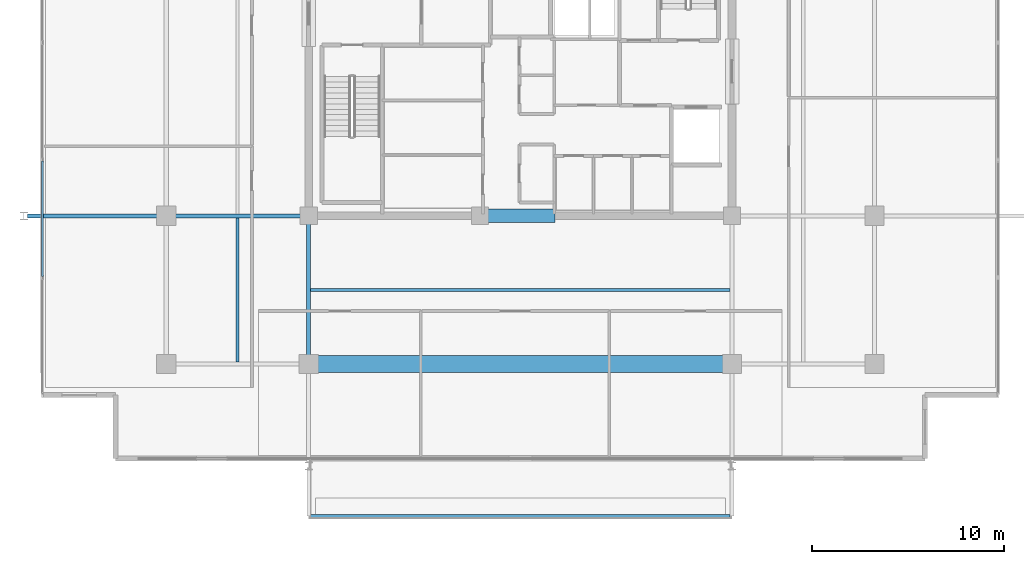
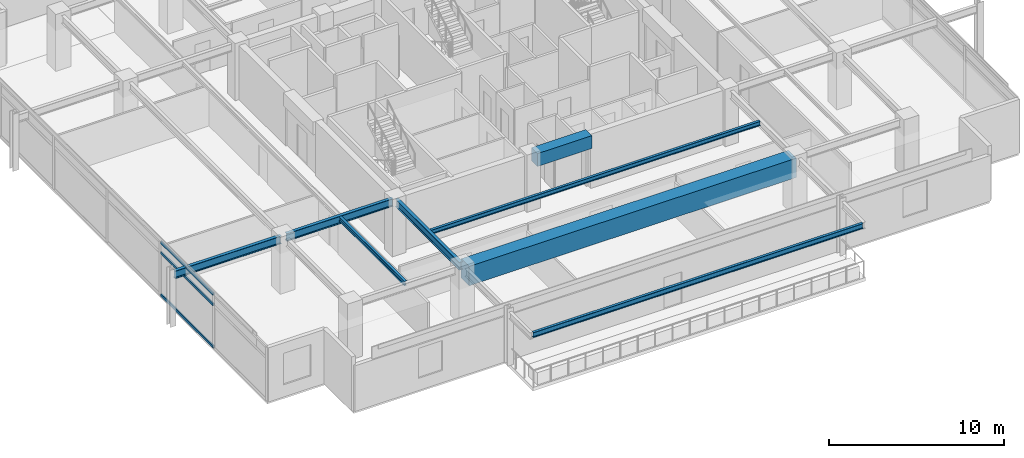
# One storey, part 3 of 20: 8 beams, 3 members, 1 element without a shape of its own.
"""IFC4 building model written with IfcOpenShell, lengths in metres."""

import ifcopenshell
import ifcopenshell.guid

model = None  # the IFC model being written
_history = None  # IfcOwnerHistory: only IFC2X3 demands one
_inside = {}  # id of a spatial element -> (the spatial element, [elements in it])
_under = {}  # id of a project, library or spatial element -> (it, [spatial elements below it])
_declared = {}  # id of a project -> (the project, [libraries it declares])
_typed = {}  # id of a type object -> (the type object, [elements of that type])
_made_of = {}  # id of a material, layer set ... -> (it, [elements and type objects made of it])


def new_model(schema):
    """Start an empty IFC model of exactly this schema.

    Asked for "IFC4X3", IfcOpenShell would pick the latest addendum, in which some entities
    have other attributes; the version numbers below select the first issue.
    IFC2X3 requires an IfcOwnerHistory on every rooted entity: one is made here for all.
    """
    global model, _history
    if schema == "IFC4X3":
        model = ifcopenshell.file(schema_version=(4, 3, 0, 0))
    else:
        model = ifcopenshell.file(schema=schema)
    _inside.clear()
    _under.clear()
    _declared.clear()
    _typed.clear()
    _made_of.clear()
    _history = None
    if model.schema == "IFC2X3":
        org = make("IfcOrganization", Name="unknown")
        user = make(
            "IfcPersonAndOrganization",
            ThePerson=make("IfcPerson", FamilyName="unknown"),
            TheOrganization=org,
        )
        app = make(
            "IfcApplication",
            ApplicationDeveloper=org,
            Version="unknown",
            ApplicationFullName="unknown",
            ApplicationIdentifier="unknown",
        )
        _history = make(
            "IfcOwnerHistory",
            OwningUser=user,
            OwningApplication=app,
            ChangeAction="ADDED",
            CreationDate=0,
        )
    return model


def make(cls, **values):
    """One entity of the class cls with the attributes given. An attribute that is None is left unset."""
    return model.create_entity(
        cls, **{name: value for name, value in values.items() if value is not None}
    )


def rooted(cls, **values):
    """An entity with a GlobalId (a new one), such as an element, a storey or a relation."""
    return make(cls, GlobalId=ifcopenshell.guid.new(), OwnerHistory=_history, **values)


def si_unit(unit_type, name, prefix=None):
    """IfcSIUnit, for example si_unit("LENGTHUNIT", "METRE", prefix="MILLI")."""
    return make("IfcSIUnit", UnitType=unit_type, Prefix=prefix, Name=name)


def assignment(units):
    """IfcUnitAssignment: the units of a project."""
    return None if units is None else make("IfcUnitAssignment", Units=units)


def point(xyz):
    """IfcCartesianPoint."""
    return None if xyz is None else make("IfcCartesianPoint", Coordinates=xyz)


def direction(xyz):
    """IfcDirection."""
    return None if xyz is None else make("IfcDirection", DirectionRatios=xyz)


def frame(location, z_axis=None, x_axis=None):
    """IfcAxis2Placement3D, a coordinate frame: its origin and axes. An axis left out is left unset."""
    return make(
        "IfcAxis2Placement3D",
        Location=point(location),
        Axis=direction(z_axis),
        RefDirection=direction(x_axis),
    )


def frame_2d(location, x_axis=None):
    """IfcAxis2Placement2D, a coordinate frame in the plane: its origin and x axis."""
    return make(
        "IfcAxis2Placement2D", Location=point(location), RefDirection=direction(x_axis)
    )


def origin():
    """The frame at (0, 0, 0) with its axes left unset."""
    return frame((0.0, 0.0, 0.0))


def origin_2d():
    """The frame at (0, 0) in the plane with its x axis left unset."""
    return frame_2d((0.0, 0.0))


def place(relative_to, where):
    """IfcLocalPlacement: puts the frame where relative to a parent placement (None: the world)."""
    return make(
        "IfcLocalPlacement", PlacementRelTo=relative_to, RelativePlacement=where
    )


def context(
    kind, dimensions, precision=None, world=None, true_north=None, identifier=None
):
    """IfcGeometricRepresentationContext, for example the 3D "Model" context."""
    return make(
        "IfcGeometricRepresentationContext",
        ContextIdentifier=identifier,
        ContextType=kind,
        CoordinateSpaceDimension=dimensions,
        Precision=precision,
        WorldCoordinateSystem=world,
        TrueNorth=true_north,
    )


def subcontext(parent, identifier, kind, view, scale=None):
    """IfcGeometricRepresentationSubContext, for example "Body" below "Model"."""
    return make(
        "IfcGeometricRepresentationSubContext",
        ContextIdentifier=identifier,
        ContextType=kind,
        ParentContext=parent,
        TargetScale=scale,
        TargetView=view,
    )


def project(units=None, contexts=None):
    """IfcProject with its units and contexts."""
    return rooted(
        "IfcProject",
        Name="project",
        RepresentationContexts=contexts,
        UnitsInContext=assignment(units),
    )


def spatial(cls, under=None, at=None, **own):
    """A site, building, storey or space (cls), placed at a placement, below another one or the project."""
    s = rooted(cls, ObjectPlacement=at, **own)
    if under is not None:
        _under.setdefault(under.id(), (under, []))[1].append(s)
    return s


def profile(cls, at=None, kind="AREA", **sizes):
    """A parametric profile (cls). Its sizes go by their IFC names, for example OverallWidth=200.0."""
    return make(cls, ProfileType=kind, Position=at, **sizes)


def rectangle(**sizes):
    """IfcRectangleProfileDef."""
    return profile("IfcRectangleProfileDef", **sizes)


def hollow_rectangle(**sizes):
    """IfcRectangleHollowProfileDef."""
    return profile("IfcRectangleHollowProfileDef", **sizes)


def i_section(**sizes):
    """IfcIShapeProfileDef."""
    return profile("IfcIShapeProfileDef", **sizes)


def extrude(swept, where, along, depth):
    """IfcExtrudedAreaSolid: the profile swept, set in the frame where, extruded along a direction by depth."""
    return make(
        "IfcExtrudedAreaSolid",
        SweptArea=swept,
        Position=where,
        ExtrudedDirection=direction(along),
        Depth=depth,
    )


def shape(context_of_items, identifier, shape_type, items):
    """IfcShapeRepresentation: the items that make up one representation, for example the "Body"."""
    return make(
        "IfcShapeRepresentation",
        ContextOfItems=context_of_items,
        RepresentationIdentifier=identifier,
        RepresentationType=shape_type,
        Items=items,
    )


def material(Name=None, Category=None):
    """IfcMaterial."""
    return make("IfcMaterial", Name=Name, Category=Category)


def material_profile(
    of_material, cross_section, Name=None, Category=None, Priority=None
):
    """IfcMaterialProfile: a cross section and its material."""
    return make(
        "IfcMaterialProfile",
        Name=Name,
        Material=of_material,
        Profile=cross_section,
        Priority=Priority,
        Category=Category,
    )


def profile_set(profiles, Name=None, composite=None):
    """IfcMaterialProfileSet."""
    return make(
        "IfcMaterialProfileSet",
        Name=Name,
        MaterialProfiles=profiles,
        CompositeProfile=composite,
    )


def made_of(thing, what):
    """Note that an element or type object is made of a material, layer set ...; save() writes the relation."""
    if what is not None:
        _made_of.setdefault(what.id(), (what, []))[1].append(thing)
    return thing


def type_object(cls, material=None, **own):
    """A type object (cls), such as IfcWallType, which elements share."""
    return made_of(rooted(cls, **own), material)


def element(
    cls,
    number,
    at=None,
    inside=None,
    cuts=None,
    type_object=None,
    material=None,
    context=None,
    identifier="Body",
    shape_type=None,
    held_by="IfcProductDefinitionShape",
    body=None,
    shapes=None,
    **own,
):
    """One element of the class cls, such as IfcWall. Its Tag is "e" and its number.

    at: its placement. inside: the storey or other place that contains it. cuts: it is an
    opening in that element (IfcRelVoidsElement). A single representation is given by context,
    identifier, shape_type and body (its items); several are given by shapes. held_by: the class
    of the entity that holds the representations. save() writes the other relations.
    """
    e = rooted(cls, Tag="e%d" % number, ObjectPlacement=at, **own)
    if body is not None:
        shapes = [shape(context, identifier, shape_type, body)]
    if shapes is not None:
        e.Representation = make(held_by, Representations=shapes)
    if inside is not None:
        _inside.setdefault(inside.id(), (inside, []))[1].append(e)
    if cuts is not None:
        rooted(
            "IfcRelVoidsElement", RelatingBuildingElement=cuts, RelatedOpeningElement=e
        )
    if type_object is not None:
        _typed.setdefault(type_object.id(), (type_object, []))[1].append(e)
    return made_of(e, material)


def aggregate(whole, parts):
    """IfcRelAggregates: a whole, such as a stair, and the parts it consists of."""
    return rooted("IfcRelAggregates", RelatingObject=whole, RelatedObjects=parts)


def save(model, path):
    """Write the relations noted so far, then the file.

    IfcRelAggregates (storeys below a building ...), IfcRelContainedInSpatialStructure (elements
    in a storey), IfcRelDefinesByType, IfcRelAssociatesMaterial and IfcRelDeclares: one each for
    every whole, place, type object, material and project.
    """
    for whole, parts in _under.values():
        aggregate(whole, parts)
    for where, things in _inside.values():
        rooted(
            "IfcRelContainedInSpatialStructure",
            RelatedElements=things,
            RelatingStructure=where,
        )
    for kind, things in _typed.values():
        rooted("IfcRelDefinesByType", RelatedObjects=things, RelatingType=kind)
    for what, things in _made_of.values():
        rooted("IfcRelAssociatesMaterial", RelatedObjects=things, RelatingMaterial=what)
    for by, libraries in _declared.values():
        rooted("IfcRelDeclares", RelatingContext=by, RelatedDefinitions=libraries)
    model.write(path)


model = new_model("IFC4")

# Units and contexts
model_context = context("Model", 3, precision=1e-05, world=origin(), true_north=direction((0.0, 1.0)))
body_context = subcontext(model_context, "Body", "Model", "MODEL_VIEW")
ifc_project = project(units=[si_unit("LENGTHUNIT", "METRE"), si_unit("AREAUNIT", "SQUARE_METRE"), si_unit("VOLUMEUNIT", "CUBIC_METRE"), si_unit("PLANEANGLEUNIT", "RADIAN"), si_unit("MASSUNIT", "GRAM", prefix="KILO")], contexts=[model_context])

# Site, building, storey
site_placement = place(None, origin())
site = spatial("IfcSite", under=ifc_project, at=site_placement, CompositionType="ELEMENT")
building_placement = place(site_placement, origin())
building = spatial("IfcBuilding", under=site, at=building_placement, Name="Kovane Verandah Tower", CompositionType="ELEMENT")
storey_placement = place(building_placement, frame((0.0, 0.0, 318.800048828125)))
storey = spatial("IfcBuildingStorey", under=building, at=storey_placement, Name="L74", CompositionType="ELEMENT", Elevation=318.800048828125)

# Beams
ifc_material_1 = material(Name="Concrete C60/75", Category="concrete")
ifc_material_profile_1 = material_profile(ifc_material_1, rectangle(XDim=0.699951171875, YDim=0.89990234375, at=origin_2d()), Name="RCB700x900")
ifc_profile_set_1 = profile_set([ifc_material_profile_1], Name="Concrete C60/75")
beam_type_1 = type_object("IfcBeamType", Name="BM-LINTEL-700x900", PredefinedType="LINTEL", material=ifc_profile_set_1)
beam_1_placement = place(storey_placement, frame((38.199951171875, 18.5, 3.3349609375), z_axis=(1.0, 0.0, 0.0), x_axis=(0.0, 1.0, 0.0)))
element("IfcBeam", 1, at=beam_1_placement, inside=storey, type_object=beam_type_1, Name="L74 Core Coupling Lintel CL-S", PredefinedType="LINTEL", context=body_context, shape_type="SweptSolid", body=[
    extrude(rectangle(XDim=0.699951171875, YDim=0.89990234375, at=origin_2d()), origin(), (0.0, 0.0, 1.0), 3.60009765625),
])
ifc_material_2 = material(Name="Concrete C80/95", Category="concrete")
ifc_material_profile_2 = material_profile(ifc_material_2, rectangle(XDim=0.89990234375, YDim=1.35009765625, at=origin_2d()), Name="RCB900x1350")
ifc_profile_set_2 = profile_set([ifc_material_profile_2], Name="Concrete C80/95")
beam_type_2 = type_object("IfcBeamType", Name="BM-TR-900x1350", PredefinedType="BEAM", material=ifc_profile_set_2)
beam_2_placement = place(storey_placement, frame((29.179931640625, 10.800048828125, 3.10986328125), z_axis=(1.0, 0.0, 0.0), x_axis=(0.0, 1.0, 0.0)))
element("IfcBeam", 2, at=beam_2_placement, inside=storey, type_object=beam_type_2, Name="L74 Primary Tower Girder G-RS2", PredefinedType="BEAM", context=body_context, shape_type="SweptSolid", body=[
    extrude(rectangle(XDim=0.89990234375, YDim=1.35009765625, at=origin_2d()), origin(), (0.0, 0.0, 1.0), 21.64013671875),
])
ifc_material_3 = material(Name="Steel S355", Category="steel")
ifc_material_profile_3 = material_profile(ifc_material_3, i_section(OverallWidth=0.2119140625, OverallDepth=0.54443359375, WebThickness=0.0126953125, FlangeThickness=0.021240234375, FilletRadius=0.0126953125, at=origin_2d()), Name="UB533x210x122")
ifc_profile_set_3 = profile_set([ifc_material_profile_3], Name="Steel S355")
beam_type_3 = type_object("IfcBeamType", Name="BM-UB533x122", PredefinedType="BEAM", material=ifc_profile_set_3)
beam_3_placement = place(storey_placement, frame((28.820068359375, 18.5, 3.5126953125), z_axis=(-1.0, 0.0, 0.0), x_axis=(0.0, -1.0, 0.0)))
element("IfcBeam", 3, at=beam_3_placement, inside=storey, type_object=beam_type_3, Name="L74 Primary Tower Girder G-W1", PredefinedType="BEAM", context=body_context, shape_type="SweptSolid", body=[
    extrude(i_section(OverallWidth=0.2119140625, OverallDepth=0.54443359375, WebThickness=0.0126953125, FlangeThickness=0.021240234375, FilletRadius=0.0126953125, at=origin_2d()), origin(), (0.0, 0.0, 1.0), 7.0400390625),
])
beam_4_placement = place(storey_placement, frame((29.0, 18.320068359375, 3.5126953125), z_axis=(0.0, -1.0, 0.0), x_axis=(1.0, 0.0, 0.0)))
element("IfcBeam", 4, at=beam_4_placement, inside=storey, type_object=beam_type_3, Name="L74 Primary Tower Girder G-S1", PredefinedType="BEAM", context=body_context, shape_type="SweptSolid", body=[
    extrude(i_section(OverallWidth=0.2119140625, OverallDepth=0.54443359375, WebThickness=0.0126953125, FlangeThickness=0.021240234375, FilletRadius=0.0126953125, at=origin_2d()), origin(), (0.0, 0.0, 1.0), 7.340087890625),
])
beam_5_placement = place(storey_placement, frame((21.419921875, 18.5, 3.48779296875), z_axis=(-1.0, 0.0, 0.0), x_axis=(0.0, -1.0, 0.0)))
element("IfcBeam", 5, at=beam_5_placement, inside=storey, type_object=beam_type_3, Name="L74 Primary Tower Girder G-VW1", PredefinedType="BEAM", context=body_context, shape_type="SweptSolid", body=[
    extrude(i_section(OverallWidth=0.2119140625, OverallDepth=0.54443359375, WebThickness=0.0126953125, FlangeThickness=0.021240234375, FilletRadius=0.0126953125, at=origin_2d()), origin(), (0.0, 0.0, 1.0), 7.0400390625),
])

# Curtain wall, members
ifc_material_4 = material(Name="Champagne Anodised Aluminium Frame with Low-E Clear Laminated Glass", Category="aluminium")
curtain_wall_type = type_object("IfcCurtainWallType", Name="CW-SYS-05-HIGH", PredefinedType="NOTDEFINED", material=ifc_material_4)
curtain_wall_placement = place(storey_placement, origin())
curtain_wall = element("IfcCurtainWall", 6, at=curtain_wall_placement, inside=storey, type_object=curtain_wall_type, Name="L74 W Unitised Curtain Wall", PredefinedType="NOTDEFINED")
ifc_material_5 = material(Name="Champagne Anodised Aluminium 6063-T6", Category="aluminium")
ifc_material_profile_4 = material_profile(ifc_material_5, hollow_rectangle(XDim=0.0849609375, YDim=0.18994140625, WallThickness=0.00390625, at=origin_2d()), Name="AL85x190x4")
ifc_profile_set_4 = profile_set([ifc_material_profile_4], Name="Champagne Anodised Aluminium 6063-T6")
member_type = type_object("IfcMemberType", Name="CW-TRN-85x190", PredefinedType="USERDEFINED", material=ifc_profile_set_4)
member_1_placement = place(storey_placement, frame((15.16845703125, 21.3447265625, 0.050048828125), z_axis=(0.0, -1.0, 0.0), x_axis=(1.0, 0.0, 0.0)))
member_1 = element("IfcMember", 7, at=member_1_placement, type_object=member_type, Name="L74 W Unitised Curtain Wall Transom TB Bay 5", ObjectType="TRANSOM", PredefinedType="USERDEFINED", context=body_context, shape_type="SweptSolid", body=[
    extrude(hollow_rectangle(XDim=0.0849609375, YDim=0.18994140625, WallThickness=0.00390625, at=origin_2d()), origin(), (0.0, 0.0, 1.0), 6.005126953125),
])
member_2_placement = place(storey_placement, frame((15.16845703125, 21.3447265625, 3.0048828125), z_axis=(0.0, -1.0, 0.0), x_axis=(1.0, 0.0, 0.0)))
member_2 = element("IfcMember", 8, at=member_2_placement, type_object=member_type, Name="L74 W Unitised Curtain Wall Transom TM Bay 5", ObjectType="TRANSOM", PredefinedType="USERDEFINED", context=body_context, shape_type="SweptSolid", body=[
    extrude(hollow_rectangle(XDim=0.0849609375, YDim=0.18994140625, WallThickness=0.00390625, at=origin_2d()), origin(), (0.0, 0.0, 1.0), 6.005126953125),
])
member_3_placement = place(storey_placement, frame((15.16845703125, 21.3447265625, 3.73486328125), z_axis=(0.0, -1.0, 0.0), x_axis=(1.0, 0.0, 0.0)))
member_3 = element("IfcMember", 9, at=member_3_placement, type_object=member_type, Name="L74 W Unitised Curtain Wall Transom TT Bay 5", ObjectType="TRANSOM", PredefinedType="USERDEFINED", context=body_context, shape_type="SweptSolid", body=[
    extrude(hollow_rectangle(XDim=0.0849609375, YDim=0.18994140625, WallThickness=0.00390625, at=origin_2d()), origin(), (0.0, 0.0, 1.0), 6.005126953125),
])
aggregate(curtain_wall, [member_1, member_2, member_3])

# Beams
ifc_material_profile_5 = material_profile(ifc_material_3, i_section(OverallWidth=0.1669921875, OverallDepth=0.310302734375, WebThickness=0.0078125, FlangeThickness=0.013671875, FilletRadius=0.0087890625, at=origin_2d()), Name="UB305x165x54")
ifc_profile_set_5 = profile_set([ifc_material_profile_5], Name="Steel S355")
beam_type_4 = type_object("IfcBeamType", Name="JST-UB305x54", PredefinedType="JOIST", material=ifc_profile_set_5)
beam_6_placement = place(storey_placement, frame((29.10400390625, 14.64990234375, 3.629638671875), z_axis=(1.0, 0.0, 0.0), x_axis=(0.0, 1.0, 0.0)))
element("IfcBeam", 10, at=beam_6_placement, inside=storey, type_object=beam_type_4, Name="L74 Secondary Composite Joist J-S1", PredefinedType="JOIST", context=body_context, shape_type="SweptSolid", body=[
    extrude(i_section(OverallWidth=0.1669921875, OverallDepth=0.310302734375, WebThickness=0.0078125, FlangeThickness=0.013671875, FilletRadius=0.0087890625, at=origin_2d()), origin(), (0.0, 0.0, 1.0), 21.7919921875),
])
beam_7_placement = place(storey_placement, frame((25.300048828125, 10.904052734375, 3.629638671875), z_axis=(0.0, 1.0, 0.0), x_axis=(-1.0, 0.0, 0.0)))
element("IfcBeam", 11, at=beam_7_placement, inside=storey, type_object=beam_type_4, Name="L74 Secondary Composite Joist J-SW1", PredefinedType="JOIST", context=body_context, shape_type="SweptSolid", body=[
    extrude(i_section(OverallWidth=0.1669921875, OverallDepth=0.310302734375, WebThickness=0.0078125, FlangeThickness=0.013671875, FilletRadius=0.0087890625, at=origin_2d()), origin(), (0.0, 0.0, 1.0), 7.491943359375),
])
ifc_material_profile_6 = material_profile(ifc_material_3, i_section(OverallWidth=0.173095703125, OverallDepth=0.36328125, WebThickness=0.009033203125, FlangeThickness=0.015625, FilletRadius=0.01025390625, at=origin_2d()), Name="UB356x171x67")
ifc_profile_set_6 = profile_set([ifc_material_profile_6], Name="Steel S355")
beam_type_5 = type_object("IfcBeamType", Name="SPD-UB356x67", PredefinedType="USERDEFINED", material=ifc_profile_set_6)
beam_8_placement = place(storey_placement, frame((29.094482421875, 2.89990234375, 3.578369140625), z_axis=(1.0, 0.0, 0.0), x_axis=(0.0, 1.0, 0.0)))
element("IfcBeam", 12, at=beam_8_placement, inside=storey, type_object=beam_type_5, Name="L74 South Planter Edge Spandrel", ObjectType="SPANDREL", PredefinedType="USERDEFINED", context=body_context, shape_type="SweptSolid", body=[
    extrude(i_section(OverallWidth=0.173095703125, OverallDepth=0.36328125, WebThickness=0.009033203125, FlangeThickness=0.015625, FilletRadius=0.01025390625, at=origin_2d()), origin(), (0.0, 0.0, 1.0), 21.81103515625),
])

save(model, "model.ifc")
